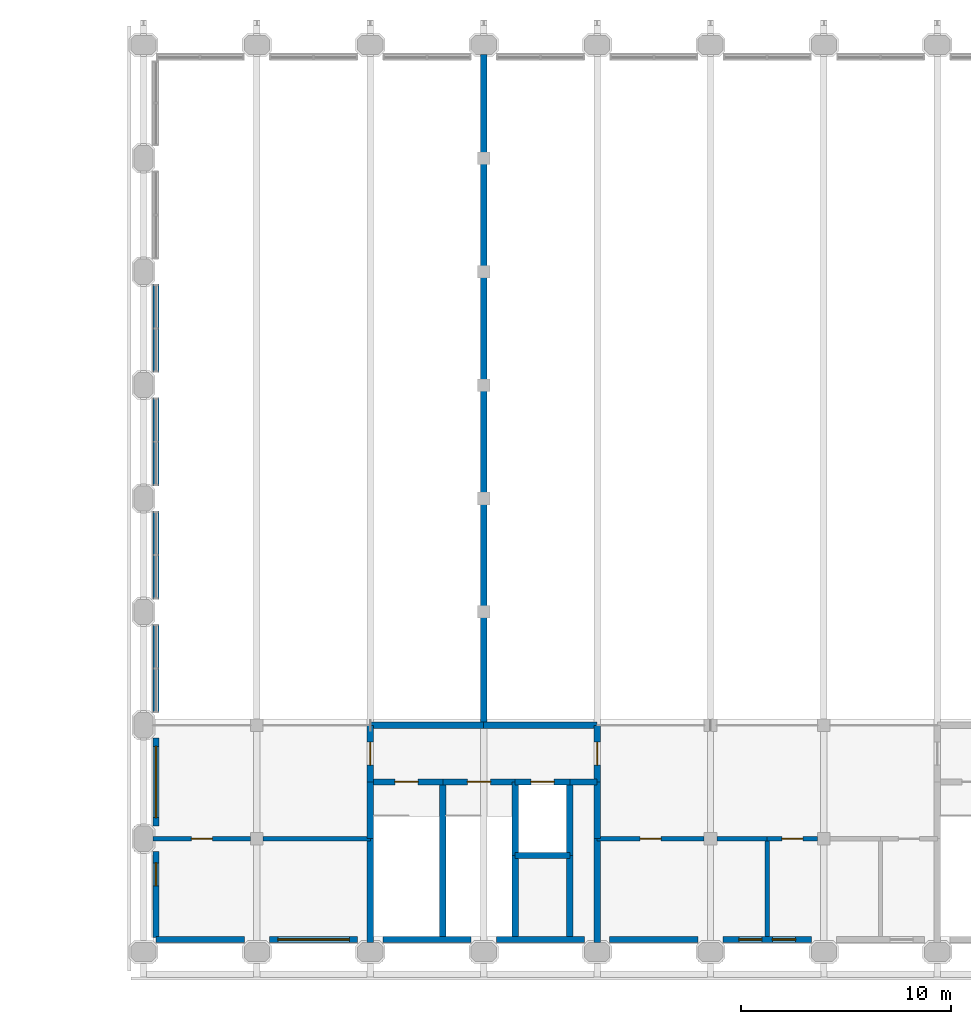
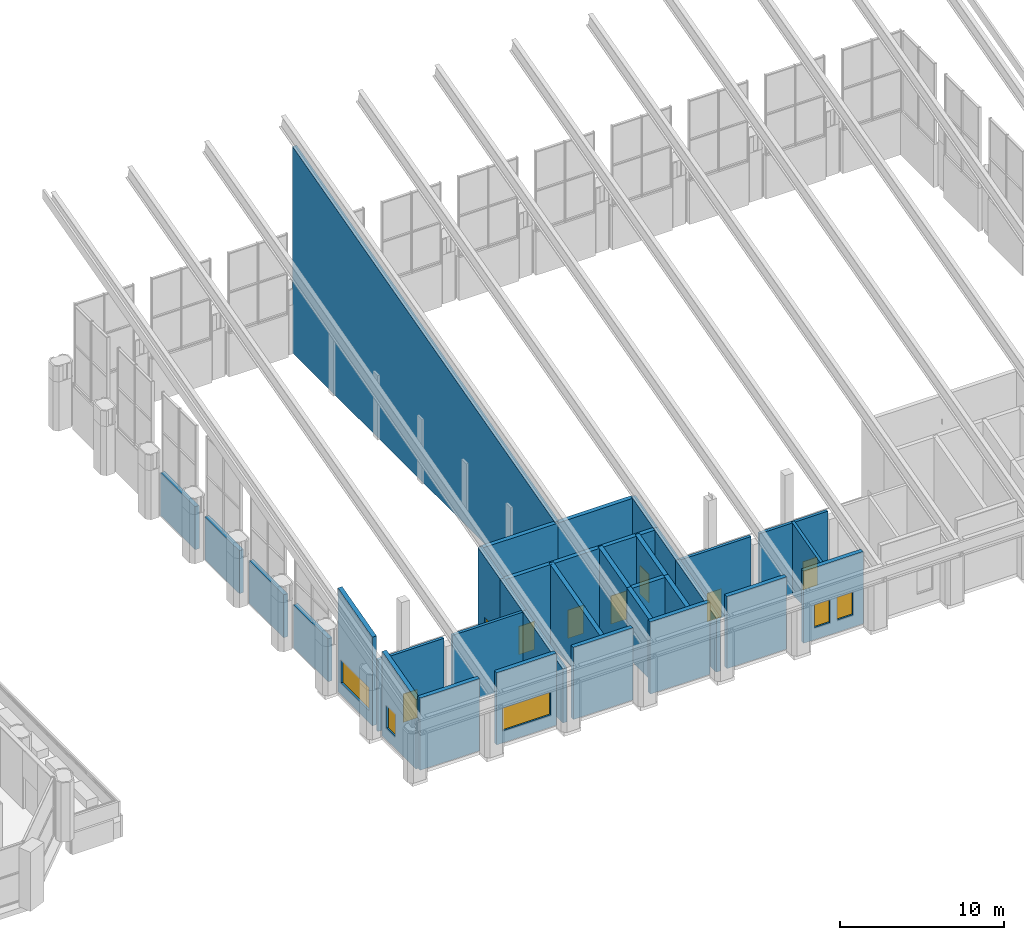
# One storey, part 30 of 42: 37 walls, 8 doors, 5 windows, 13 openings.
"""IFC4 building model written with IfcOpenShell, lengths in metres."""

from ifc_helpers import new_model, si_unit, direction, frame, frame_2d, origin, place, context, subcontext, project, spatial, polyline, rectangle, outline, extrude, material, layer, layer_set, type_object, element, fill, save


model = new_model("IFC4")

# Units and contexts
model_context = context("Model", 3, precision=1e-05, world=origin(), true_north=direction((0.0, 1.0)))
body_context = subcontext(model_context, "Body", "Model", "MODEL_VIEW")
ifc_project = project(units=[si_unit("LENGTHUNIT", "METRE"), si_unit("AREAUNIT", "SQUARE_METRE"), si_unit("VOLUMEUNIT", "CUBIC_METRE"), si_unit("PLANEANGLEUNIT", "RADIAN"), si_unit("MASSUNIT", "GRAM", prefix="KILO")], contexts=[model_context])

# Site, building, storey
site_placement = place(None, origin())
site = spatial("IfcSite", under=ifc_project, at=site_placement, CompositionType="ELEMENT")
building_placement = place(site_placement, origin())
building = spatial("IfcBuilding", under=site, at=building_placement, Name="Tabaq Tower and Sports Hall", CompositionType="ELEMENT")
storey_placement = place(building_placement, frame((0.0, 0.0, 19.800048828125)))
storey = spatial("IfcBuildingStorey", under=building, at=storey_placement, Name="L03", CompositionType="ELEMENT", Elevation=19.800048828125)

# Wall
ifc_material_1 = material(Name="Concrete C50/60", Category="concrete")
ifc_layer_1 = layer(ifc_material_1, 0.300048828125)
ifc_layer_set_1 = layer_set([ifc_layer_1], Name="HALL CORE WALL RC 300 C50/60")
wall_type_1 = type_object("IfcWallType", Name="HALL CORE WALL RC 300 C50/60", PredefinedType="SHEAR", material=ifc_layer_set_1)
wall_1_placement = place(storey_placement, frame((75.60009765625, 5.39990234375, 0.0), z_axis=(0.0, 0.0, 1.0), x_axis=(0.0, 1.0, 0.0)))
element("IfcWall", 1, at=wall_1_placement, inside=storey, type_object=wall_type_1, Name="L03 core wall 003", PredefinedType="SHEAR", context=body_context, shape_type="SweptSolid", body=[
    extrude(outline(polyline([(0.0, 0.0), (2.7001953125, 0.0), (2.699951171875, 6.0673828125), (0.0, 5.343994140625), (0.0, 0.0)])), frame((0.0, 0.14990234375, 0.0), z_axis=(0.0, -1.0, 0.0), x_axis=(1.0, 0.0, 0.0)), (0.0, 0.0, 1.0), 0.300048828125),
])

# Wall, opening, door
wall_2_placement = place(storey_placement, frame((75.60009765625, 8.10009765625, 0.0), z_axis=(0.0, 0.0, 1.0), x_axis=(0.0, 1.0, 0.0)))
wall_2 = element("IfcWall", 2, at=wall_2_placement, inside=storey, type_object=wall_type_1, Name="L03 core wall 004", PredefinedType="SHEAR", context=body_context, shape_type="SweptSolid", body=[
    extrude(outline(polyline([(0.0, 0.0), (2.699951171875, 0.0), (2.699951171875, 6.791015625), (0.0, 6.0673828125), (0.0, 0.0)])), frame((0.0, 0.14990234375, 0.0), z_axis=(0.0, -1.0, 0.0), x_axis=(1.0, 0.0, 0.0)), (0.0, 0.0, 1.0), 0.300048828125),
])
opening_1_placement = place(wall_2_placement, frame((0.800048828125, 0.0, 0.0)))
opening_1 = element("IfcOpeningElement", 3, at=opening_1_placement, cuts=wall_2, Name="Opening HD070", PredefinedType="OPENING", context=body_context, shape_type="SweptSolid", body=[
    extrude(rectangle(XDim=1.10009765625, YDim=2.10009765625, at=frame_2d((0.550048828125, 1.050048828125))), frame((0.0, 0.14990234375, 0.0), z_axis=(0.0, -1.0, 0.0), x_axis=(1.0, 0.0, 0.0)), (0.0, 0.0, 1.0), 0.300048828125),
])
ifc_material_2 = material(Name="Steel fire door leaf in steel frame", Category="steel")
door_type_1 = type_object("IfcDoorType", Name="HALL FIRE DOOR 1100x2100", OperationType="SINGLE_SWING_LEFT", PredefinedType="DOOR", material=ifc_material_2)
door_1_placement = place(opening_1_placement, origin())
door_1 = element("IfcDoor", 4, at=door_1_placement, inside=storey, type_object=door_type_1, Name="Door HD070", OperationType="SINGLE_SWING_LEFT", OverallHeight=2.10009765625, OverallWidth=1.10009765625, PredefinedType="DOOR", context=body_context, shape_type="SweptSolid", body=[
    extrude(rectangle(XDim=1.10009765625, YDim=2.10009765625, at=frame_2d((0.550048828125, 1.050048828125))), frame((0.0, 0.02490234375, 0.0), z_axis=(0.0, -1.0, 0.0), x_axis=(1.0, 0.0, 0.0)), (0.0, 0.0, 1.0), 0.050048828125),
])
fill(opening_1, door_1)

# Wall
wall_3_placement = place(storey_placement, frame((86.39990234375, 5.39990234375, 0.0), z_axis=(0.0, 0.0, 1.0), x_axis=(0.0, 1.0, 0.0)))
element("IfcWall", 5, at=wall_3_placement, inside=storey, type_object=wall_type_1, Name="L03 core wall 010", PredefinedType="SHEAR", context=body_context, shape_type="SweptSolid", body=[
    extrude(outline(polyline([(0.0, 0.0), (2.7001953125, 0.0), (2.699951171875, 6.0673828125), (0.0, 5.343994140625), (0.0, 0.0)])), frame((0.0, 0.14990234375, 0.0), z_axis=(0.0, -1.0, 0.0), x_axis=(1.0, 0.0, 0.0)), (0.0, 0.0, 1.0), 0.300048828125),
])

# Wall, opening, door
wall_4_placement = place(storey_placement, frame((86.39990234375, 8.10009765625, 0.0), z_axis=(0.0, 0.0, 1.0), x_axis=(0.0, 1.0, 0.0)))
wall_4 = element("IfcWall", 6, at=wall_4_placement, inside=storey, type_object=wall_type_1, Name="L03 core wall 011", PredefinedType="SHEAR", context=body_context, shape_type="SweptSolid", body=[
    extrude(outline(polyline([(0.0, 0.0), (2.699951171875, 0.0), (2.699951171875, 6.791015625), (0.0, 6.0673828125), (0.0, 0.0)])), frame((0.0, 0.14990234375, 0.0), z_axis=(0.0, -1.0, 0.0), x_axis=(1.0, 0.0, 0.0)), (0.0, 0.0, 1.0), 0.300048828125),
])
opening_2_placement = place(wall_4_placement, frame((0.800048828125, 0.0, 0.0)))
opening_2 = element("IfcOpeningElement", 7, at=opening_2_placement, cuts=wall_4, Name="Opening HD071", PredefinedType="OPENING", context=body_context, shape_type="SweptSolid", body=[
    extrude(rectangle(XDim=1.10009765625, YDim=2.10009765625, at=frame_2d((0.550048828125, 1.050048828125))), frame((0.0, 0.14990234375, 0.0), z_axis=(0.0, -1.0, 0.0), x_axis=(1.0, 0.0, 0.0)), (0.0, 0.0, 1.0), 0.300048828125),
])
door_2_placement = place(opening_2_placement, origin())
door_2 = element("IfcDoor", 8, at=door_2_placement, inside=storey, type_object=door_type_1, Name="Door HD071", OperationType="SINGLE_SWING_LEFT", OverallHeight=2.10009765625, OverallWidth=1.10009765625, PredefinedType="DOOR", context=body_context, shape_type="SweptSolid", body=[
    extrude(rectangle(XDim=1.10009765625, YDim=2.10009765625, at=frame_2d((0.550048828125, 1.050048828125))), frame((0.0, 0.02490234375, 0.0), z_axis=(0.0, -1.0, 0.0), x_axis=(1.0, 0.0, 0.0)), (0.0, 0.0, 1.0), 0.050048828125),
])
fill(opening_2, door_2)

# Walls
for number, where, z_axis, x_axis, name in (
    (9, (75.60009765625, 0.449951171875, 0.0), (0.0, 0.0, 1.0), (0.0, 1.0, 0.0), "L03 core wall 020"),
    (10, (86.39990234375, 0.449951171875, 0.0), (0.0, 0.0, 1.0), (0.0, 1.0, 0.0), "L03 core wall 022"),
):
    element("IfcWall", number, at=place(storey_placement, frame(where, z_axis=z_axis, x_axis=x_axis)), inside=storey, type_object=wall_type_1, Name=name, PredefinedType="SHEAR", context=body_context, shape_type="SweptSolid", body=[
        extrude(outline(polyline([(0.0, 0.0), (4.949951171875, 0.0), (4.949951171875, 5.343994140625), (0.0, 4.017578125), (0.0, 0.0)])), frame((0.0, 0.14990234375, 0.0), z_axis=(0.0, -1.0, 0.0), x_axis=(1.0, 0.0, 0.0)), (0.0, 0.0, 1.0), 0.300048828125),
    ])
wall_5_placement = place(storey_placement, frame((79.050048828125, 0.75, 0.0), z_axis=(0.0, 0.0, 1.0), x_axis=(0.0, 1.0, 0.0)))
element("IfcWall", 11, at=wall_5_placement, inside=storey, type_object=wall_type_1, Name="L03 core wall 029", PredefinedType="SHEAR", context=body_context, shape_type="SweptSolid", body=[
    extrude(outline(polyline([(0.0, 0.0), (7.35009765625, 0.0), (7.35009765625, 6.0673828125), (0.0, 4.09814453125), (0.0, 0.0)])), frame((0.0, 0.14990234375, 0.0), z_axis=(0.0, -1.0, 0.0), x_axis=(1.0, 0.0, 0.0)), (0.0, 0.0, 1.0), 0.300048828125),
])

# Wall, opening, door
wall_6_placement = place(storey_placement, frame((75.60009765625, 8.10009765625, 0.0), z_axis=(0.0, 0.0, 1.0), x_axis=(1.0, 0.0, 0.0)))
wall_6 = element("IfcWall", 12, at=wall_6_placement, inside=storey, type_object=wall_type_1, Name="L03 core wall 030", PredefinedType="SHEAR", context=body_context, shape_type="SweptSolid", body=[
    extrude(rectangle(XDim=3.449951171875, YDim=0.300048828125, at=frame_2d((1.72509765625, 0.0))), origin(), (0.0, 0.0, 1.0), 6.02734375),
])
opening_3_placement = place(wall_6_placement, frame((1.175048828125, 0.0, 0.0)))
opening_3 = element("IfcOpeningElement", 13, at=opening_3_placement, cuts=wall_6, Name="Opening HD082", PredefinedType="OPENING", context=body_context, shape_type="SweptSolid", body=[
    extrude(rectangle(XDim=1.10009765625, YDim=2.10009765625, at=frame_2d((0.550048828125, 1.050048828125))), frame((0.0, 0.14990234375, 0.0), z_axis=(0.0, -1.0, 0.0), x_axis=(1.0, 0.0, 0.0)), (0.0, 0.0, 1.0), 0.300048828125),
])
door_3_placement = place(opening_3_placement, origin())
door_3 = element("IfcDoor", 14, at=door_3_placement, inside=storey, type_object=door_type_1, Name="Door HD082", OperationType="SINGLE_SWING_LEFT", OverallHeight=2.10009765625, OverallWidth=1.10009765625, PredefinedType="DOOR", context=body_context, shape_type="SweptSolid", body=[
    extrude(rectangle(XDim=1.10009765625, YDim=2.10009765625, at=frame_2d((0.550048828125, 1.050048828125))), frame((0.0, 0.02490234375, 0.0), z_axis=(0.0, -1.0, 0.0), x_axis=(1.0, 0.0, 0.0)), (0.0, 0.0, 1.0), 0.050048828125),
])
fill(opening_3, door_3)

# Walls
wall_7_placement = place(storey_placement, frame((82.5, 4.60009765625, 0.0), z_axis=(0.0, 0.0, 1.0), x_axis=(0.0, 1.0, 0.0)))
element("IfcWall", 15, at=wall_7_placement, inside=storey, type_object=wall_type_1, Name="L03 core wall 031", PredefinedType="SHEAR", context=body_context, shape_type="SweptSolid", body=[
    extrude(outline(polyline([(0.0, 0.0), (3.5, 0.0), (3.5, 6.0673828125), (0.0, 5.129638671875), (0.0, 0.0)])), frame((0.0, 0.14990234375, 0.0), z_axis=(0.0, -1.0, 0.0), x_axis=(1.0, 0.0, 0.0)), (0.0, 0.0, 1.0), 0.300048828125),
])
wall_8_placement = place(storey_placement, frame((82.5, 0.75, 0.0), z_axis=(0.0, 0.0, 1.0), x_axis=(0.0, 1.0, 0.0)))
element("IfcWall", 16, at=wall_8_placement, inside=storey, type_object=wall_type_1, Name="L03 core wall 032", PredefinedType="SHEAR", context=body_context, shape_type="SweptSolid", body=[
    extrude(outline(polyline([(0.0, 0.0), (3.85009765625, 0.0), (3.85009765625, 5.129638671875), (0.0, 4.09814453125), (0.0, 0.0)])), frame((0.0, 0.14990234375, 0.0), z_axis=(0.0, -1.0, 0.0), x_axis=(1.0, 0.0, 0.0)), (0.0, 0.0, 1.0), 0.300048828125),
])

# Wall, opening, door
wall_9_placement = place(storey_placement, frame((79.050048828125, 8.10009765625, 0.0), z_axis=(0.0, 0.0, 1.0), x_axis=(1.0, 0.0, 0.0)))
wall_9 = element("IfcWall", 17, at=wall_9_placement, inside=storey, type_object=wall_type_1, Name="L03 core wall 033", PredefinedType="SHEAR", context=body_context, shape_type="SweptSolid", body=[
    extrude(rectangle(XDim=3.449951171875, YDim=0.300048828125, at=frame_2d((1.72509765625, 0.0))), origin(), (0.0, 0.0, 1.0), 6.02734375),
])
opening_4_placement = place(wall_9_placement, frame((1.175048828125, 0.0, 0.0)))
opening_4 = element("IfcOpeningElement", 18, at=opening_4_placement, cuts=wall_9, Name="Opening HD083", PredefinedType="OPENING", context=body_context, shape_type="SweptSolid", body=[
    extrude(rectangle(XDim=1.10009765625, YDim=2.10009765625, at=frame_2d((0.550048828125, 1.050048828125))), frame((0.0, 0.14990234375, 0.0), z_axis=(0.0, -1.0, 0.0), x_axis=(1.0, 0.0, 0.0)), (0.0, 0.0, 1.0), 0.300048828125),
])
door_4_placement = place(opening_4_placement, origin())
door_4 = element("IfcDoor", 19, at=door_4_placement, inside=storey, type_object=door_type_1, Name="Door HD083", OperationType="SINGLE_SWING_LEFT", OverallHeight=2.10009765625, OverallWidth=1.10009765625, PredefinedType="DOOR", context=body_context, shape_type="SweptSolid", body=[
    extrude(rectangle(XDim=1.10009765625, YDim=2.10009765625, at=frame_2d((0.550048828125, 1.050048828125))), frame((0.0, 0.02490234375, 0.0), z_axis=(0.0, -1.0, 0.0), x_axis=(1.0, 0.0, 0.0)), (0.0, 0.0, 1.0), 0.050048828125),
])
fill(opening_4, door_4)

# Walls
wall_10_placement = place(storey_placement, frame((82.5, 4.60009765625, 0.0), z_axis=(0.0, 0.0, 1.0), x_axis=(1.0, 0.0, 0.0)))
element("IfcWall", 20, at=wall_10_placement, inside=storey, type_object=wall_type_1, Name="L03 core wall 034", PredefinedType="SHEAR", context=body_context, shape_type="SweptSolid", body=[
    extrude(rectangle(XDim=2.60009765625, YDim=0.300048828125, at=frame_2d((1.300048828125, 0.0))), origin(), (0.0, 0.0, 1.0), 5.08935546875),
])
wall_11_placement = place(storey_placement, frame((85.10009765625, 4.60009765625, 0.0), z_axis=(0.0, 0.0, 1.0), x_axis=(0.0, 1.0, 0.0)))
element("IfcWall", 21, at=wall_11_placement, inside=storey, type_object=wall_type_1, Name="L03 core wall 035", PredefinedType="SHEAR", context=body_context, shape_type="SweptSolid", body=[
    extrude(outline(polyline([(0.0, 0.0), (3.5, 0.0), (3.5, 6.0673828125), (0.0, 5.129638671875), (0.0, 0.0)])), frame((0.0, 0.14990234375, 0.0), z_axis=(0.0, -1.0, 0.0), x_axis=(1.0, 0.0, 0.0)), (0.0, 0.0, 1.0), 0.300048828125),
])

# Wall, opening, door
wall_12_placement = place(storey_placement, frame((82.5, 8.10009765625, 0.0), z_axis=(0.0, 0.0, 1.0), x_axis=(1.0, 0.0, 0.0)))
wall_12 = element("IfcWall", 22, at=wall_12_placement, inside=storey, type_object=wall_type_1, Name="L03 core wall 036", PredefinedType="SHEAR", context=body_context, shape_type="SweptSolid", body=[
    extrude(rectangle(XDim=2.60009765625, YDim=0.300048828125, at=frame_2d((1.300048828125, 0.0))), origin(), (0.0, 0.0, 1.0), 6.02734375),
])
opening_5_placement = place(wall_12_placement, frame((0.75, 0.0, 0.0)))
opening_5 = element("IfcOpeningElement", 23, at=opening_5_placement, cuts=wall_12, Name="Opening LDA-L03", PredefinedType="OPENING", context=body_context, shape_type="SweptSolid", body=[
    extrude(rectangle(XDim=1.10009765625, YDim=2.10009765625, at=frame_2d((0.550048828125, 1.050048828125))), frame((0.0, 0.14990234375, 0.0), z_axis=(0.0, -1.0, 0.0), x_axis=(1.0, 0.0, 0.0)), (0.0, 0.0, 1.0), 0.300048828125),
])
ifc_material_3 = material(Name="Stainless steel landing door panels", Category="steel")
door_type_2 = type_object("IfcDoorType", Name="HALL LIFT LANDING DOOR 1100x2100", OperationType="SLIDING_TO_LEFT", PredefinedType="DOOR", material=ifc_material_3)
door_5_placement = place(opening_5_placement, origin())
door_5 = element("IfcDoor", 24, at=door_5_placement, inside=storey, type_object=door_type_2, Name="Door LDA-L03", OperationType="SLIDING_TO_LEFT", OverallHeight=2.10009765625, OverallWidth=1.10009765625, PredefinedType="DOOR", context=body_context, shape_type="SweptSolid", body=[
    extrude(rectangle(XDim=1.10009765625, YDim=2.10009765625, at=frame_2d((0.550048828125, 1.050048828125))), frame((0.0, 0.02490234375, 0.0), z_axis=(0.0, -1.0, 0.0), x_axis=(1.0, 0.0, 0.0)), (0.0, 0.0, 1.0), 0.050048828125),
])
fill(opening_5, door_5)

# Walls
wall_13_placement = place(storey_placement, frame((85.10009765625, 0.75, 0.0), z_axis=(0.0, 0.0, 1.0), x_axis=(0.0, 1.0, 0.0)))
element("IfcWall", 25, at=wall_13_placement, inside=storey, type_object=wall_type_1, Name="L03 core wall 037", PredefinedType="SHEAR", context=body_context, shape_type="SweptSolid", body=[
    extrude(outline(polyline([(0.0, 0.0), (3.85009765625, 0.0), (3.85009765625, 5.129638671875), (0.0, 4.09814453125), (0.0, 0.0)])), frame((0.0, 0.14990234375, 0.0), z_axis=(0.0, -1.0, 0.0), x_axis=(1.0, 0.0, 0.0)), (0.0, 0.0, 1.0), 0.300048828125),
])
wall_14_placement = place(storey_placement, frame((85.10009765625, 8.10009765625, 0.0), z_axis=(0.0, 0.0, 1.0), x_axis=(1.0, 0.0, 0.0)))
element("IfcWall", 26, at=wall_14_placement, inside=storey, type_object=wall_type_1, Name="L03 core wall 038", PredefinedType="SHEAR", context=body_context, shape_type="SweptSolid", body=[
    extrude(rectangle(XDim=1.2998046875, YDim=0.300048828125, at=frame_2d((0.64990234375, 0.0))), origin(), (0.0, 0.0, 1.0), 6.02734375),
])
for number, where, z_axis, x_axis, name in (
    (27, (81.0, 10.800048828125, 0.0), (0.0, 0.0, 1.0), (1.0, 0.0, 0.0), "L03 core wall 039"),
    (28, (75.60009765625, 10.800048828125, 0.0), (0.0, 0.0, 1.0), (1.0, 0.0, 0.0), "L03 core wall 040"),
):
    element("IfcWall", number, at=place(storey_placement, frame(where, z_axis=z_axis, x_axis=x_axis)), inside=storey, type_object=wall_type_1, Name=name, PredefinedType="SHEAR", context=body_context, shape_type="SweptSolid", body=[
        extrude(rectangle(XDim=5.39990234375, YDim=0.300048828125, at=frame_2d((2.699951171875, 0.0))), origin(), (0.0, 0.0, 1.0), 6.750732421875),
    ])
wall_15_placement = place(storey_placement, frame((81.0, 10.800048828125, 0.0), z_axis=(0.0, 0.0, 1.0), x_axis=(0.0, 1.0, 0.0)))
element("IfcWall", 29, at=wall_15_placement, inside=storey, type_object=wall_type_1, Name="L03 partition 052", PredefinedType="SHEAR", context=body_context, shape_type="SweptSolid", body=[
    extrude(outline(polyline([(0.0, 0.0), (31.949951171875, 0.0), (31.949951171875, 15.35205078125), (0.0, 6.791015625), (0.0, 0.0)])), frame((0.0, 0.14990234375, 0.0), z_axis=(0.0, -1.0, 0.0), x_axis=(1.0, 0.0, 0.0)), (0.0, 0.0, 1.0), 0.300048828125),
])

# Wall, opening, door
ifc_material_4 = material(Name="Blockwork partition with plaster both faces", Category="masonry")
ifc_layer_2 = layer(ifc_material_4, 0.199951171875)
ifc_layer_set_2 = layer_set([ifc_layer_2], Name="HALL PARTITION 200")
wall_type_2 = type_object("IfcWallType", Name="HALL PARTITION 200", PredefinedType="PARTITIONING", material=ifc_layer_set_2)
wall_16_placement = place(storey_placement, frame((65.25, 5.39990234375, 0.0), z_axis=(0.0, 0.0, 1.0), x_axis=(1.0, 0.0, 0.0)))
wall_16 = element("IfcWall", 30, at=wall_16_placement, inside=storey, type_object=wall_type_2, Name="L03 partition 001", PredefinedType="PARTITIONING", context=body_context, shape_type="SweptSolid", body=[
    extrude(rectangle(XDim=4.64990234375, YDim=0.199951171875, at=frame_2d((2.324951171875, 0.0))), origin(), (0.0, 0.0, 1.0), 5.317138671875),
])
opening_6_placement = place(wall_16_placement, frame((1.824951171875, 0.0, 0.0)))
opening_6 = element("IfcOpeningElement", 31, at=opening_6_placement, cuts=wall_16, Name="Opening HD074", PredefinedType="OPENING", context=body_context, shape_type="SweptSolid", body=[
    extrude(rectangle(XDim=1.0, YDim=2.10009765625, at=frame_2d((0.5, 1.050048828125))), frame((0.0, 0.10009765625, 0.0), z_axis=(0.0, -1.0, 0.0), x_axis=(1.0, 0.0, 0.0)), (0.0, 0.0, 1.0), 0.199951171875),
])
ifc_material_5 = material(Name="Timber veneer door leaf in steel frame", Category="steel")
door_type_3 = type_object("IfcDoorType", Name="HALL DOOR SINGLE 1000x2100", OperationType="SINGLE_SWING_LEFT", PredefinedType="DOOR", material=ifc_material_5)
door_6_placement = place(opening_6_placement, origin())
door_6 = element("IfcDoor", 32, at=door_6_placement, inside=storey, type_object=door_type_3, Name="Door HD074", OperationType="SINGLE_SWING_LEFT", OverallHeight=2.10009765625, OverallWidth=1.0, PredefinedType="DOOR", context=body_context, shape_type="SweptSolid", body=[
    extrude(rectangle(XDim=1.0, YDim=2.10009765625, at=frame_2d((0.5, 1.050048828125))), frame((0.0, 0.02490234375, 0.0), z_axis=(0.0, -1.0, 0.0), x_axis=(1.0, 0.0, 0.0)), (0.0, 0.0, 1.0), 0.050048828125),
])
fill(opening_6, door_6)

# Wall
wall_17_placement = place(storey_placement, frame((70.5, 5.39990234375, 0.0), z_axis=(0.0, 0.0, 1.0), x_axis=(1.0, 0.0, 0.0)))
element("IfcWall", 33, at=wall_17_placement, inside=storey, type_object=wall_type_2, Name="L03 partition 002", PredefinedType="PARTITIONING", context=body_context, shape_type="SweptSolid", body=[
    extrude(rectangle(XDim=5.10009765625, YDim=0.199951171875, at=frame_2d((2.550048828125, 0.0))), origin(), (0.0, 0.0, 1.0), 5.317138671875),
])

# Wall, opening, door
wall_18_placement = place(storey_placement, frame((86.39990234375, 5.39990234375, 0.0), z_axis=(0.0, 0.0, 1.0), x_axis=(1.0, 0.0, 0.0)))
wall_18 = element("IfcWall", 34, at=wall_18_placement, inside=storey, type_object=wall_type_2, Name="L03 partition 005", PredefinedType="PARTITIONING", context=body_context, shape_type="SweptSolid", body=[
    extrude(rectangle(XDim=5.10009765625, YDim=0.199951171875, at=frame_2d((2.550048828125, 0.0))), origin(), (0.0, 0.0, 1.0), 5.317138671875),
])
opening_7_placement = place(wall_18_placement, frame((2.050048828125, 0.0, 0.0)))
opening_7 = element("IfcOpeningElement", 35, at=opening_7_placement, cuts=wall_18, Name="Opening HD075", PredefinedType="OPENING", context=body_context, shape_type="SweptSolid", body=[
    extrude(rectangle(XDim=1.0, YDim=2.10009765625, at=frame_2d((0.5, 1.050048828125))), frame((0.0, 0.10009765625, 0.0), z_axis=(0.0, -1.0, 0.0), x_axis=(1.0, 0.0, 0.0)), (0.0, 0.0, 1.0), 0.199951171875),
])
door_7_placement = place(opening_7_placement, origin())
door_7 = element("IfcDoor", 36, at=door_7_placement, inside=storey, type_object=door_type_3, Name="Door HD075", OperationType="SINGLE_SWING_LEFT", OverallHeight=2.10009765625, OverallWidth=1.0, PredefinedType="DOOR", context=body_context, shape_type="SweptSolid", body=[
    extrude(rectangle(XDim=1.0, YDim=2.10009765625, at=frame_2d((0.5, 1.050048828125))), frame((0.0, 0.02490234375, 0.0), z_axis=(0.0, -1.0, 0.0), x_axis=(1.0, 0.0, 0.0)), (0.0, 0.0, 1.0), 0.050048828125),
])
fill(opening_7, door_7)

# Wall
wall_19_placement = place(storey_placement, frame((92.10009765625, 5.39990234375, 0.0), z_axis=(0.0, 0.0, 1.0), x_axis=(1.0, 0.0, 0.0)))
element("IfcWall", 37, at=wall_19_placement, inside=storey, type_object=wall_type_2, Name="L03 partition 006", PredefinedType="PARTITIONING", context=body_context, shape_type="SweptSolid", body=[
    extrude(rectangle(XDim=2.39990234375, YDim=0.199951171875, at=frame_2d((1.199951171875, 0.0))), origin(), (0.0, 0.0, 1.0), 5.317138671875),
])

# Wall, opening, door
wall_20_placement = place(storey_placement, frame((94.5, 5.39990234375, 0.0), z_axis=(0.0, 0.0, 1.0), x_axis=(1.0, 0.0, 0.0)))
wall_20 = element("IfcWall", 38, at=wall_20_placement, inside=storey, type_object=wall_type_2, Name="L03 partition 007", PredefinedType="PARTITIONING", context=body_context, shape_type="SweptSolid", body=[
    extrude(rectangle(XDim=2.39990234375, YDim=0.199951171875, at=frame_2d((1.199951171875, 0.0))), origin(), (0.0, 0.0, 1.0), 5.317138671875),
])
opening_8_placement = place(wall_20_placement, frame((0.699951171875, 0.0, 0.0)))
opening_8 = element("IfcOpeningElement", 39, at=opening_8_placement, cuts=wall_20, Name="Opening HD076", PredefinedType="OPENING", context=body_context, shape_type="SweptSolid", body=[
    extrude(rectangle(XDim=1.0, YDim=2.10009765625, at=frame_2d((0.5, 1.050048828125))), frame((0.0, 0.10009765625, 0.0), z_axis=(0.0, -1.0, 0.0), x_axis=(1.0, 0.0, 0.0)), (0.0, 0.0, 1.0), 0.199951171875),
])
door_8_placement = place(opening_8_placement, origin())
door_8 = element("IfcDoor", 40, at=door_8_placement, inside=storey, type_object=door_type_3, Name="Door HD076", OperationType="SINGLE_SWING_LEFT", OverallHeight=2.10009765625, OverallWidth=1.0, PredefinedType="DOOR", context=body_context, shape_type="SweptSolid", body=[
    extrude(rectangle(XDim=1.0, YDim=2.10009765625, at=frame_2d((0.5, 1.050048828125))), frame((0.0, 0.02490234375, 0.0), z_axis=(0.0, -1.0, 0.0), x_axis=(1.0, 0.0, 0.0)), (0.0, 0.0, 1.0), 0.050048828125),
])
fill(opening_8, door_8)

# Walls
wall_21_placement = place(storey_placement, frame((94.5, 0.75, 0.0), z_axis=(0.0, 0.0, 1.0), x_axis=(0.0, 1.0, 0.0)))
element("IfcWall", 41, at=wall_21_placement, inside=storey, type_object=wall_type_2, Name="L03 partition 021", PredefinedType="PARTITIONING", context=body_context, shape_type="SweptSolid", body=[
    extrude(outline(polyline([(0.0, 0.0), (4.64990234375, 0.0), (4.64990234375, 5.343994140625), (0.0, 4.09814453125), (0.0, 0.0)])), frame((0.0, 0.10009765625, 0.0), z_axis=(0.0, -1.0, 0.0), x_axis=(1.0, 0.0, 0.0)), (0.0, 0.0, 1.0), 0.199951171875),
])
ifc_material_6 = material(Name="White precast concrete C60/75", Category="concrete")
ifc_layer_3 = layer(ifc_material_6, 0.300048828125)
ifc_layer_set_3 = layer_set([ifc_layer_3], Name="White precast concrete C60/75 external wall 300")
wall_type_3 = type_object("IfcWallType", Name="White precast concrete C60/75 external wall 300", PredefinedType="SOLIDWALL", material=ifc_layer_set_3)
wall_22_placement = place(storey_placement, frame((65.39990234375, 0.60009765625, 0.0), z_axis=(0.0, 0.0, 1.0), x_axis=(1.0, 0.0, 0.0)))
element("IfcWall", 42, at=wall_22_placement, inside=storey, type_object=wall_type_3, Name="L03 S facade panel", PredefinedType="SOLIDWALL", context=body_context, shape_type="SweptSolid", body=[
    extrude(outline(polyline([(0.0, 0.0), (4.2001953125, 0.0), (4.199951171875, 5.365234375), (0.0, 5.365234375), (0.0, 0.0)])), frame((0.0, 0.14990234375, 0.0), z_axis=(0.0, -1.0, 0.0), x_axis=(1.0, 0.0, 0.0)), (0.0, 0.0, 1.0), 0.300048828125),
])

# Wall, opening, window
wall_23_placement = place(storey_placement, frame((70.800048828125, 0.60009765625, 0.0), z_axis=(0.0, 0.0, 1.0), x_axis=(1.0, 0.0, 0.0)))
wall_23 = element("IfcWall", 43, at=wall_23_placement, inside=storey, type_object=wall_type_3, Name="L03 S facade panel", PredefinedType="SOLIDWALL", context=body_context, shape_type="SweptSolid", body=[
    extrude(outline(polyline([(0.0, 0.0), (4.199951171875, 0.0), (4.199951171875, 5.365234375), (0.0, 5.365234375), (0.0, 0.0)])), frame((0.0, 0.14990234375, 0.0), z_axis=(0.0, -1.0, 0.0), x_axis=(1.0, 0.0, 0.0)), (0.0, 0.0, 1.0), 0.300048828125),
])
opening_9_placement = place(wall_23_placement, frame((0.39990234375, 0.0, 0.89990234375)))
opening_9 = element("IfcOpeningElement", 44, at=opening_9_placement, cuts=wall_23, Name="Opening HW004", PredefinedType="OPENING", context=body_context, shape_type="SweptSolid", body=[
    extrude(rectangle(XDim=3.39990234375, YDim=1.699951171875, at=frame_2d((1.699951171875, 0.85009765625))), frame((0.0, 0.14990234375, 0.0), z_axis=(0.0, -1.0, 0.0), x_axis=(1.0, 0.0, 0.0)), (0.0, 0.0, 1.0), 0.300048828125),
])
ifc_material_7 = material(Name="Aluminium framed clear glazing", Category="aluminium")
window_type_1 = type_object("IfcWindowType", Name="Window W1A", PartitioningType="SINGLE_PANEL", PredefinedType="WINDOW", material=ifc_material_7)
window_1_placement = place(opening_9_placement, origin())
window_1 = element("IfcWindow", 45, at=window_1_placement, inside=storey, type_object=window_type_1, Name="Window HW004", OverallHeight=1.699951171875, OverallWidth=3.39990234375, PartitioningType="SINGLE_PANEL", PredefinedType="WINDOW", context=body_context, shape_type="SweptSolid", body=[
    extrude(rectangle(XDim=3.39990234375, YDim=1.699951171875, at=frame_2d((1.699951171875, 0.85009765625))), frame((0.0, 0.030029296875, 0.0), z_axis=(0.0, -1.0, 0.0), x_axis=(1.0, 0.0, 0.0)), (0.0, 0.0, 1.0), 0.06005859375),
])
fill(opening_9, window_1)

# Walls
for number, where, z_axis, x_axis, name in (
    (46, (76.199951171875, 0.60009765625, 0.0), (0.0, 0.0, 1.0), (1.0, 0.0, 0.0), "L03 S facade panel"),
    (47, (81.60009765625, 0.60009765625, 0.0), (0.0, 0.0, 1.0), (1.0, 0.0, 0.0), "L03 S facade panel"),
    (48, (87.0, 0.60009765625, 0.0), (0.0, 0.0, 1.0), (1.0, 0.0, 0.0), "L03 S facade panel"),
):
    element("IfcWall", number, at=place(storey_placement, frame(where, z_axis=z_axis, x_axis=x_axis)), inside=storey, type_object=wall_type_3, Name=name, PredefinedType="SOLIDWALL", context=body_context, shape_type="SweptSolid", body=[
        extrude(outline(polyline([(0.0, 0.0), (4.199951171875, 0.0), (4.199951171875, 5.365234375), (0.0, 5.365234375), (0.0, 0.0)])), frame((0.0, 0.14990234375, 0.0), z_axis=(0.0, -1.0, 0.0), x_axis=(1.0, 0.0, 0.0)), (0.0, 0.0, 1.0), 0.300048828125),
    ])

# Wall, openings, windows
wall_24_placement = place(storey_placement, frame((92.39990234375, 0.60009765625, 0.0), z_axis=(0.0, 0.0, 1.0), x_axis=(1.0, 0.0, 0.0)))
wall_24 = element("IfcWall", 49, at=wall_24_placement, inside=storey, type_object=wall_type_3, Name="L03 S facade panel", PredefinedType="SOLIDWALL", context=body_context, shape_type="SweptSolid", body=[
    extrude(outline(polyline([(0.0, 0.0), (4.2001953125, 0.0), (4.199951171875, 5.365234375), (0.0, 5.365234375), (0.0, 0.0)])), frame((0.0, 0.14990234375, 0.0), z_axis=(0.0, -1.0, 0.0), x_axis=(1.0, 0.0, 0.0)), (0.0, 0.0, 1.0), 0.300048828125),
])
opening_10_placement = place(wall_24_placement, frame((0.75, 0.0, 0.89990234375)))
opening_10 = element("IfcOpeningElement", 50, at=opening_10_placement, cuts=wall_24, Name="Opening HW008", PredefinedType="OPENING", context=body_context, shape_type="SweptSolid", body=[
    extrude(rectangle(XDim=1.10009765625, YDim=1.699951171875, at=frame_2d((0.550048828125, 0.85009765625))), frame((0.0, 0.14990234375, 0.0), z_axis=(0.0, -1.0, 0.0), x_axis=(1.0, 0.0, 0.0)), (0.0, 0.0, 1.0), 0.300048828125),
])
opening_11_placement = place(wall_24_placement, frame((2.35009765625, 0.0, 0.89990234375)))
opening_11 = element("IfcOpeningElement", 51, at=opening_11_placement, cuts=wall_24, Name="Opening HW009", PredefinedType="OPENING", context=body_context, shape_type="SweptSolid", body=[
    extrude(rectangle(XDim=1.10009765625, YDim=1.699951171875, at=frame_2d((0.550048828125, 0.85009765625))), frame((0.0, 0.14990234375, 0.0), z_axis=(0.0, -1.0, 0.0), x_axis=(1.0, 0.0, 0.0)), (0.0, 0.0, 1.0), 0.300048828125),
])
ifc_material_8 = material(Name="Aluminium framed clear glazing", Category="aluminium")
window_type_2 = type_object("IfcWindowType", Name="Window W1B", PartitioningType="SINGLE_PANEL", PredefinedType="WINDOW", material=ifc_material_8)
window_2_placement = place(opening_10_placement, origin())
window_2 = element("IfcWindow", 52, at=window_2_placement, inside=storey, type_object=window_type_2, Name="Window HW008", OverallHeight=1.699951171875, OverallWidth=1.10009765625, PartitioningType="SINGLE_PANEL", PredefinedType="WINDOW", context=body_context, shape_type="SweptSolid", body=[
    extrude(rectangle(XDim=1.10009765625, YDim=1.699951171875, at=frame_2d((0.550048828125, 0.85009765625))), frame((0.0, 0.030029296875, 0.0), z_axis=(0.0, -1.0, 0.0), x_axis=(1.0, 0.0, 0.0)), (0.0, 0.0, 1.0), 0.06005859375),
])
fill(opening_10, window_2)
window_3_placement = place(opening_11_placement, origin())
window_3 = element("IfcWindow", 53, at=window_3_placement, inside=storey, type_object=window_type_2, Name="Window HW009", OverallHeight=1.699951171875, OverallWidth=1.10009765625, PartitioningType="SINGLE_PANEL", PredefinedType="WINDOW", context=body_context, shape_type="SweptSolid", body=[
    extrude(rectangle(XDim=1.10009765625, YDim=1.699951171875, at=frame_2d((0.550048828125, 0.85009765625))), frame((0.0, 0.030029296875, 0.0), z_axis=(0.0, -1.0, 0.0), x_axis=(1.0, 0.0, 0.0)), (0.0, 0.0, 1.0), 0.06005859375),
])
fill(opening_11, window_3)

# Wall, opening, window
wall_25_placement = place(storey_placement, frame((65.39990234375, 0.699951171875, 0.0), z_axis=(0.0, 0.0, 1.0), x_axis=(0.0, 1.0, 0.0)))
wall_25 = element("IfcWall", 54, at=wall_25_placement, inside=storey, type_object=wall_type_3, Name="L03 W facade panel", PredefinedType="SOLIDWALL", context=body_context, shape_type="SweptSolid", body=[
    extrude(outline(polyline([(0.0, 0.0), (4.10009765625, 0.0), (4.10009765625, 6.2705078125), (0.0, 5.171875), (0.0, 0.0)])), frame((0.0, 0.14990234375, 0.0), z_axis=(0.0, -1.0, 0.0), x_axis=(1.0, 0.0, 0.0)), (0.0, 0.0, 1.0), 0.300048828125),
])
opening_12_placement = place(wall_25_placement, frame((2.449951171875, 0.0, 0.89990234375)))
opening_12 = element("IfcOpeningElement", 55, at=opening_12_placement, cuts=wall_25, Name="Opening HW027", PredefinedType="OPENING", context=body_context, shape_type="SweptSolid", body=[
    extrude(rectangle(XDim=1.10009765625, YDim=1.699951171875, at=frame_2d((0.550048828125, 0.85009765625))), frame((0.0, 0.14990234375, 0.0), z_axis=(0.0, -1.0, 0.0), x_axis=(1.0, 0.0, 0.0)), (0.0, 0.0, 1.0), 0.300048828125),
])
window_4_placement = place(opening_12_placement, origin())
window_4 = element("IfcWindow", 56, at=window_4_placement, inside=storey, type_object=window_type_2, Name="Window HW027", OverallHeight=1.699951171875, OverallWidth=1.10009765625, PartitioningType="SINGLE_PANEL", PredefinedType="WINDOW", context=body_context, shape_type="SweptSolid", body=[
    extrude(rectangle(XDim=1.10009765625, YDim=1.699951171875, at=frame_2d((0.550048828125, 0.85009765625))), frame((0.0, 0.030029296875, 0.0), z_axis=(0.0, -1.0, 0.0), x_axis=(1.0, 0.0, 0.0)), (0.0, 0.0, 1.0), 0.06005859375),
])
fill(opening_12, window_4)

wall_26_placement = place(storey_placement, frame((65.39990234375, 6.0, 0.0), z_axis=(0.0, 0.0, 1.0), x_axis=(0.0, 1.0, 0.0)))
wall_26 = element("IfcWall", 57, at=wall_26_placement, inside=storey, type_object=wall_type_3, Name="L03 W facade panel", PredefinedType="SOLIDWALL", context=body_context, shape_type="SweptSolid", body=[
    extrude(outline(polyline([(0.0, 0.0), (4.199951171875, 0.0), (4.199951171875, 7.717529296875), (0.0, 6.592041015625), (0.0, 0.0)])), frame((0.0, 0.14990234375, 0.0), z_axis=(0.0, -1.0, 0.0), x_axis=(1.0, 0.0, 0.0)), (0.0, 0.0, 1.0), 0.300048828125),
])
opening_13_placement = place(wall_26_placement, frame((0.39990234375, 0.0, 0.89990234375)))
opening_13 = element("IfcOpeningElement", 58, at=opening_13_placement, cuts=wall_26, Name="Opening HW031", PredefinedType="OPENING", context=body_context, shape_type="SweptSolid", body=[
    extrude(rectangle(XDim=3.39990234375, YDim=1.699951171875, at=frame_2d((1.699951171875, 0.85009765625))), frame((0.0, 0.14990234375, 0.0), z_axis=(0.0, -1.0, 0.0), x_axis=(1.0, 0.0, 0.0)), (0.0, 0.0, 1.0), 0.300048828125),
])
window_5_placement = place(opening_13_placement, origin())
window_5 = element("IfcWindow", 59, at=window_5_placement, inside=storey, type_object=window_type_1, Name="Window HW031", OverallHeight=1.699951171875, OverallWidth=3.39990234375, PartitioningType="SINGLE_PANEL", PredefinedType="WINDOW", context=body_context, shape_type="SweptSolid", body=[
    extrude(rectangle(XDim=3.39990234375, YDim=1.699951171875, at=frame_2d((1.699951171875, 0.85009765625))), frame((0.0, 0.030029296875, 0.0), z_axis=(0.0, -1.0, 0.0), x_axis=(1.0, 0.0, 0.0)), (0.0, 0.0, 1.0), 0.06005859375),
])
fill(opening_13, window_5)

# Walls
wall_27_placement = place(storey_placement, frame((65.39990234375, 11.39990234375, 0.0), z_axis=(0.0, 0.0, 1.0), x_axis=(0.0, 1.0, 0.0)))
element("IfcWall", 60, at=wall_27_placement, inside=storey, type_object=wall_type_3, Name="L03 W facade panel", PredefinedType="SOLIDWALL", context=body_context, shape_type="SweptSolid", body=[
    extrude(rectangle(XDim=4.2001953125, YDim=0.300048828125, at=frame_2d((2.10009765625, 0.0))), origin(), (0.0, 0.0, 1.0), 3.199951171875),
])
for number, where, z_axis, x_axis, name in (
    (61, (65.39990234375, 16.800048828125, 0.0), (0.0, 0.0, 1.0), (0.0, 1.0, 0.0), "L03 W facade panel"),
    (62, (65.39990234375, 22.199951171875, 0.0), (0.0, 0.0, 1.0), (0.0, 1.0, 0.0), "L03 W facade panel"),
    (63, (65.39990234375, 27.60009765625, 0.0), (0.0, 0.0, 1.0), (0.0, 1.0, 0.0), "L03 W facade panel"),
):
    element("IfcWall", number, at=place(storey_placement, frame(where, z_axis=z_axis, x_axis=x_axis)), inside=storey, type_object=wall_type_3, Name=name, PredefinedType="SOLIDWALL", context=body_context, shape_type="SweptSolid", body=[
        extrude(rectangle(XDim=4.199951171875, YDim=0.300048828125, at=frame_2d((2.10009765625, 0.0))), origin(), (0.0, 0.0, 1.0), 3.199951171875),
    ])

save(model, "model.ifc")
